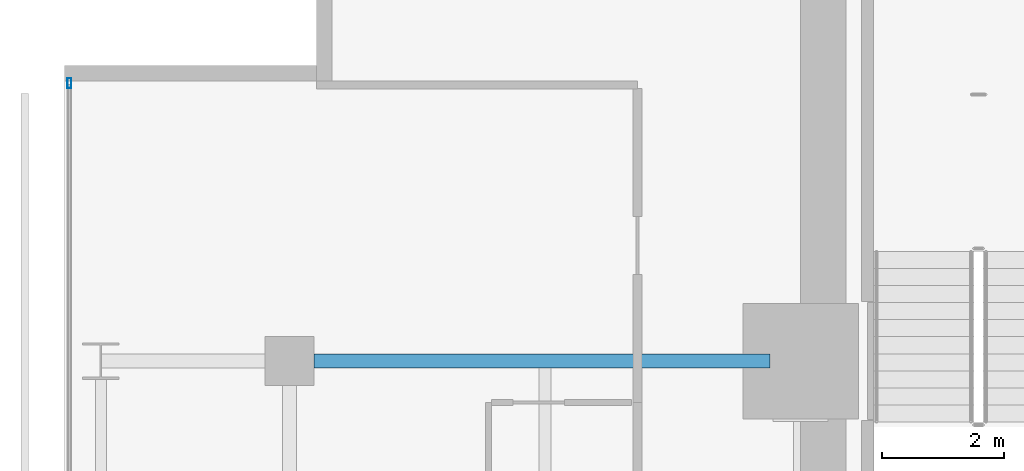
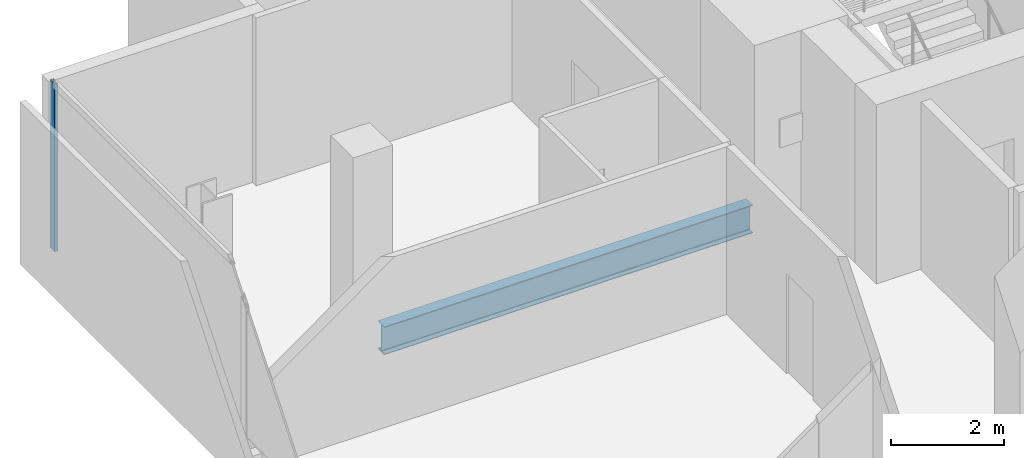
# One storey, part 20 of 34: 1 beam, 1 member, 1 element without a shape of its own.
"""IFC4 building model written with IfcOpenShell, lengths in metres."""

from ifc_helpers import new_model, si_unit, direction, frame, origin, origin_2d, place, context, subcontext, project, spatial, hollow_rectangle, i_section, extrude, material, layer, layer_set, material_profile, profile_set, type_object, element, aggregate, save


model = new_model("IFC4")

# Units and contexts
model_context = context("Model", 3, precision=1e-05, world=origin(), true_north=direction((0.0, 1.0)))
body_context = subcontext(model_context, "Body", "Model", "MODEL_VIEW")
ifc_project = project(units=[si_unit("LENGTHUNIT", "METRE"), si_unit("AREAUNIT", "SQUARE_METRE"), si_unit("VOLUMEUNIT", "CUBIC_METRE"), si_unit("PLANEANGLEUNIT", "RADIAN"), si_unit("MASSUNIT", "GRAM", prefix="KILO")], contexts=[model_context])

# Site, building, storey
site_placement = place(None, origin())
site = spatial("IfcSite", under=ifc_project, at=site_placement, CompositionType="ELEMENT")
building_placement = place(site_placement, origin())
building = spatial("IfcBuilding", under=site, at=building_placement, Name="Maruvema Waterfront Hotel and Observation Tower", CompositionType="ELEMENT")
storey_placement = place(building_placement, frame((0.0, 0.0, 192.85009765625)))
storey = spatial("IfcBuildingStorey", under=building, at=storey_placement, Name="L47", CompositionType="ELEMENT", Elevation=192.85009765625)

# Curtain wall, member
ifc_material_1 = material(Name="Anodised bronze aluminium and solar-control low-E IGU", Category="aluminium")
ifc_layer = layer(ifc_material_1, 0.159912109375, Name="Zone 2 Amber Inner Thermal Curtain Wall System CW-03")
ifc_layer_set = layer_set([ifc_layer], Name="Anodised bronze aluminium and solar-control low-E IGU")
curtain_wall_type = type_object("IfcCurtainWallType", Name="Zone 2 Amber Inner Thermal Curtain Wall System CW-03", PredefinedType="USERDEFINED", material=ifc_layer_set)
curtain_wall_placement = place(storey_placement, origin())
curtain_wall = element("IfcCurtainWall", 1, at=curtain_wall_placement, inside=storey, type_object=curtain_wall_type, Name="L47 Curtain Wall CW-L47-W", ObjectType="UNITISED CURTAIN WALL", PredefinedType="USERDEFINED")
ifc_material_2 = material(Name="Anodised architectural bronze aluminium", Category="aluminium")
ifc_material_profile_1 = material_profile(ifc_material_2, hollow_rectangle(XDim=0.06494140625, YDim=0.1650390625, WallThickness=0.00390625, at=origin_2d()), Name="ALU-M65x165")
ifc_profile_set_1 = profile_set([ifc_material_profile_1], Name="Anodised architectural bronze aluminium")
member_type = type_object("IfcMemberType", Name="Curtain Wall Primary Mullion ALU-M65x165", PredefinedType="MULLION", material=ifc_profile_set_1)
member_placement = place(storey_placement, frame((13.179931640625, 49.570068359375, 0.0), z_axis=(0.0, 0.0, 1.0), x_axis=(1.0, 0.0, 0.0)))
member = element("IfcMember", 2, at=member_placement, type_object=member_type, Name="CW-03 mullion 1", PredefinedType="MULLION", context=body_context, shape_type="SweptSolid", body=[
    extrude(hollow_rectangle(XDim=0.06494140625, YDim=0.1650390625, WallThickness=0.00390625, at=origin_2d()), origin(), (0.0, 0.0, 1.0), 3.60986328125),
])
aggregate(curtain_wall, [member])

# Beam
ifc_material_3 = material(Name="Steel ASTM A572 Grade 50", Category="steel")
ifc_material_profile_2 = material_profile(ifc_material_3, i_section(OverallWidth=0.22802734375, OverallDepth=0.60302734375, WebThickness=0.010498046875, FlangeThickness=0.014892578125, FilletRadius=0.01806640625, at=origin_2d()), Name="W610x101.0")
ifc_profile_set_2 = profile_set([ifc_material_profile_2], Name="Steel ASTM A572 Grade 50")
beam_type = type_object("IfcBeamType", Name="Primary Floor Girder W610x101.0", PredefinedType="BEAM", material=ifc_profile_set_2)
beam_placement = place(storey_placement, frame((17.199951171875, 45.0, -0.54150390625), z_axis=(1.0, 0.0, 0.0), x_axis=(0.0, 1.0, 0.0)))
element("IfcBeam", 3, at=beam_placement, inside=storey, type_object=beam_type, Name="L47 Floor Girder EW-31", PredefinedType="BEAM", context=body_context, shape_type="SweptSolid", body=[
    extrude(i_section(OverallWidth=0.22802734375, OverallDepth=0.60302734375, WebThickness=0.010498046875, FlangeThickness=0.014892578125, FilletRadius=0.01806640625, at=origin_2d()), origin(), (0.0, 0.0, 1.0), 7.5),
])

save(model, "model.ifc")
